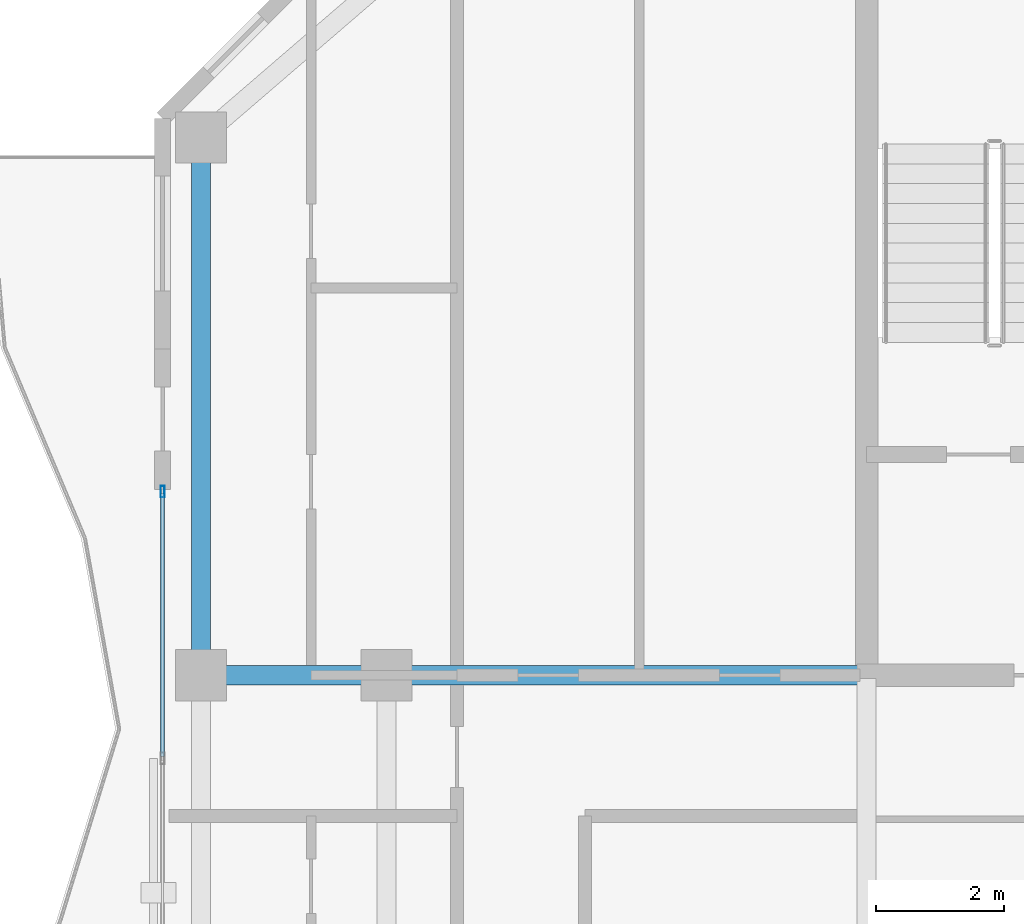
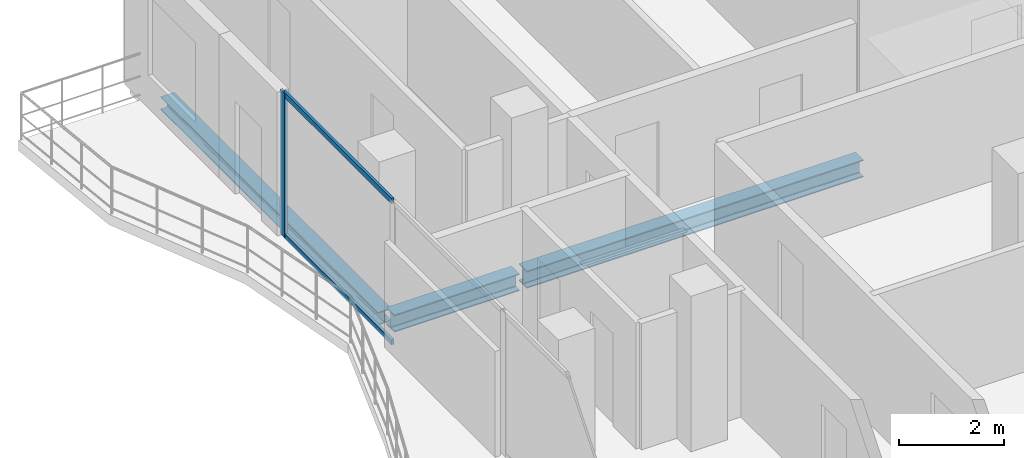
# One storey, part 9 of 23: 3 beams, 3 members, 1 element without a shape of its own.
"""IFC4 building model written with IfcOpenShell, lengths in metres."""

import ifcopenshell
import ifcopenshell.guid

model = None  # the IFC model being written
_history = None  # IfcOwnerHistory: only IFC2X3 demands one
_inside = {}  # id of a spatial element -> (the spatial element, [elements in it])
_under = {}  # id of a project, library or spatial element -> (it, [spatial elements below it])
_declared = {}  # id of a project -> (the project, [libraries it declares])
_typed = {}  # id of a type object -> (the type object, [elements of that type])
_made_of = {}  # id of a material, layer set ... -> (it, [elements and type objects made of it])


def new_model(schema):
    """Start an empty IFC model of exactly this schema.

    Asked for "IFC4X3", IfcOpenShell would pick the latest addendum, in which some entities
    have other attributes; the version numbers below select the first issue.
    IFC2X3 requires an IfcOwnerHistory on every rooted entity: one is made here for all.
    """
    global model, _history
    if schema == "IFC4X3":
        model = ifcopenshell.file(schema_version=(4, 3, 0, 0))
    else:
        model = ifcopenshell.file(schema=schema)
    _inside.clear()
    _under.clear()
    _declared.clear()
    _typed.clear()
    _made_of.clear()
    _history = None
    if model.schema == "IFC2X3":
        org = make("IfcOrganization", Name="unknown")
        user = make(
            "IfcPersonAndOrganization",
            ThePerson=make("IfcPerson", FamilyName="unknown"),
            TheOrganization=org,
        )
        app = make(
            "IfcApplication",
            ApplicationDeveloper=org,
            Version="unknown",
            ApplicationFullName="unknown",
            ApplicationIdentifier="unknown",
        )
        _history = make(
            "IfcOwnerHistory",
            OwningUser=user,
            OwningApplication=app,
            ChangeAction="ADDED",
            CreationDate=0,
        )
    return model


def make(cls, **values):
    """One entity of the class cls with the attributes given. An attribute that is None is left unset."""
    return model.create_entity(
        cls, **{name: value for name, value in values.items() if value is not None}
    )


def rooted(cls, **values):
    """An entity with a GlobalId (a new one), such as an element, a storey or a relation."""
    return make(cls, GlobalId=ifcopenshell.guid.new(), OwnerHistory=_history, **values)


def si_unit(unit_type, name, prefix=None):
    """IfcSIUnit, for example si_unit("LENGTHUNIT", "METRE", prefix="MILLI")."""
    return make("IfcSIUnit", UnitType=unit_type, Prefix=prefix, Name=name)


def assignment(units):
    """IfcUnitAssignment: the units of a project."""
    return None if units is None else make("IfcUnitAssignment", Units=units)


def point(xyz):
    """IfcCartesianPoint."""
    return None if xyz is None else make("IfcCartesianPoint", Coordinates=xyz)


def direction(xyz):
    """IfcDirection."""
    return None if xyz is None else make("IfcDirection", DirectionRatios=xyz)


def frame(location, z_axis=None, x_axis=None):
    """IfcAxis2Placement3D, a coordinate frame: its origin and axes. An axis left out is left unset."""
    return make(
        "IfcAxis2Placement3D",
        Location=point(location),
        Axis=direction(z_axis),
        RefDirection=direction(x_axis),
    )


def frame_2d(location, x_axis=None):
    """IfcAxis2Placement2D, a coordinate frame in the plane: its origin and x axis."""
    return make(
        "IfcAxis2Placement2D", Location=point(location), RefDirection=direction(x_axis)
    )


def origin():
    """The frame at (0, 0, 0) with its axes left unset."""
    return frame((0.0, 0.0, 0.0))


def origin_2d():
    """The frame at (0, 0) in the plane with its x axis left unset."""
    return frame_2d((0.0, 0.0))


def place(relative_to, where):
    """IfcLocalPlacement: puts the frame where relative to a parent placement (None: the world)."""
    return make(
        "IfcLocalPlacement", PlacementRelTo=relative_to, RelativePlacement=where
    )


def context(
    kind, dimensions, precision=None, world=None, true_north=None, identifier=None
):
    """IfcGeometricRepresentationContext, for example the 3D "Model" context."""
    return make(
        "IfcGeometricRepresentationContext",
        ContextIdentifier=identifier,
        ContextType=kind,
        CoordinateSpaceDimension=dimensions,
        Precision=precision,
        WorldCoordinateSystem=world,
        TrueNorth=true_north,
    )


def subcontext(parent, identifier, kind, view, scale=None):
    """IfcGeometricRepresentationSubContext, for example "Body" below "Model"."""
    return make(
        "IfcGeometricRepresentationSubContext",
        ContextIdentifier=identifier,
        ContextType=kind,
        ParentContext=parent,
        TargetScale=scale,
        TargetView=view,
    )


def project(units=None, contexts=None):
    """IfcProject with its units and contexts."""
    return rooted(
        "IfcProject",
        Name="project",
        RepresentationContexts=contexts,
        UnitsInContext=assignment(units),
    )


def spatial(cls, under=None, at=None, **own):
    """A site, building, storey or space (cls), placed at a placement, below another one or the project."""
    s = rooted(cls, ObjectPlacement=at, **own)
    if under is not None:
        _under.setdefault(under.id(), (under, []))[1].append(s)
    return s


def profile(cls, at=None, kind="AREA", **sizes):
    """A parametric profile (cls). Its sizes go by their IFC names, for example OverallWidth=200.0."""
    return make(cls, ProfileType=kind, Position=at, **sizes)


def hollow_rectangle(**sizes):
    """IfcRectangleHollowProfileDef."""
    return profile("IfcRectangleHollowProfileDef", **sizes)


def i_section(**sizes):
    """IfcIShapeProfileDef."""
    return profile("IfcIShapeProfileDef", **sizes)


def extrude(swept, where, along, depth):
    """IfcExtrudedAreaSolid: the profile swept, set in the frame where, extruded along a direction by depth."""
    return make(
        "IfcExtrudedAreaSolid",
        SweptArea=swept,
        Position=where,
        ExtrudedDirection=direction(along),
        Depth=depth,
    )


def shape(context_of_items, identifier, shape_type, items):
    """IfcShapeRepresentation: the items that make up one representation, for example the "Body"."""
    return make(
        "IfcShapeRepresentation",
        ContextOfItems=context_of_items,
        RepresentationIdentifier=identifier,
        RepresentationType=shape_type,
        Items=items,
    )


def material(Name=None, Category=None):
    """IfcMaterial."""
    return make("IfcMaterial", Name=Name, Category=Category)


def layer(
    of_material, thickness, ventilated=None, Name=None, Category=None, Priority=None
):
    """IfcMaterialLayer: one layer of a wall or slab, of a material (None: an air gap)."""
    return make(
        "IfcMaterialLayer",
        Material=of_material,
        LayerThickness=thickness,
        IsVentilated=ventilated,
        Name=Name,
        Category=Category,
        Priority=Priority,
    )


def layer_set(layers, Name=None):
    """IfcMaterialLayerSet."""
    return make("IfcMaterialLayerSet", MaterialLayers=layers, LayerSetName=Name)


def material_profile(
    of_material, cross_section, Name=None, Category=None, Priority=None
):
    """IfcMaterialProfile: a cross section and its material."""
    return make(
        "IfcMaterialProfile",
        Name=Name,
        Material=of_material,
        Profile=cross_section,
        Priority=Priority,
        Category=Category,
    )


def profile_set(profiles, Name=None, composite=None):
    """IfcMaterialProfileSet."""
    return make(
        "IfcMaterialProfileSet",
        Name=Name,
        MaterialProfiles=profiles,
        CompositeProfile=composite,
    )


def made_of(thing, what):
    """Note that an element or type object is made of a material, layer set ...; save() writes the relation."""
    if what is not None:
        _made_of.setdefault(what.id(), (what, []))[1].append(thing)
    return thing


def type_object(cls, material=None, **own):
    """A type object (cls), such as IfcWallType, which elements share."""
    return made_of(rooted(cls, **own), material)


def element(
    cls,
    number,
    at=None,
    inside=None,
    cuts=None,
    type_object=None,
    material=None,
    context=None,
    identifier="Body",
    shape_type=None,
    held_by="IfcProductDefinitionShape",
    body=None,
    shapes=None,
    **own,
):
    """One element of the class cls, such as IfcWall. Its Tag is "e" and its number.

    at: its placement. inside: the storey or other place that contains it. cuts: it is an
    opening in that element (IfcRelVoidsElement). A single representation is given by context,
    identifier, shape_type and body (its items); several are given by shapes. held_by: the class
    of the entity that holds the representations. save() writes the other relations.
    """
    e = rooted(cls, Tag="e%d" % number, ObjectPlacement=at, **own)
    if body is not None:
        shapes = [shape(context, identifier, shape_type, body)]
    if shapes is not None:
        e.Representation = make(held_by, Representations=shapes)
    if inside is not None:
        _inside.setdefault(inside.id(), (inside, []))[1].append(e)
    if cuts is not None:
        rooted(
            "IfcRelVoidsElement", RelatingBuildingElement=cuts, RelatedOpeningElement=e
        )
    if type_object is not None:
        _typed.setdefault(type_object.id(), (type_object, []))[1].append(e)
    return made_of(e, material)


def aggregate(whole, parts):
    """IfcRelAggregates: a whole, such as a stair, and the parts it consists of."""
    return rooted("IfcRelAggregates", RelatingObject=whole, RelatedObjects=parts)


def save(model, path):
    """Write the relations noted so far, then the file.

    IfcRelAggregates (storeys below a building ...), IfcRelContainedInSpatialStructure (elements
    in a storey), IfcRelDefinesByType, IfcRelAssociatesMaterial and IfcRelDeclares: one each for
    every whole, place, type object, material and project.
    """
    for whole, parts in _under.values():
        aggregate(whole, parts)
    for where, things in _inside.values():
        rooted(
            "IfcRelContainedInSpatialStructure",
            RelatedElements=things,
            RelatingStructure=where,
        )
    for kind, things in _typed.values():
        rooted("IfcRelDefinesByType", RelatedObjects=things, RelatingType=kind)
    for what, things in _made_of.values():
        rooted("IfcRelAssociatesMaterial", RelatedObjects=things, RelatingMaterial=what)
    for by, libraries in _declared.values():
        rooted("IfcRelDeclares", RelatingContext=by, RelatedDefinitions=libraries)
    model.write(path)


model = new_model("IFC4")

# Units and contexts
model_context = context("Model", 3, precision=1e-05, world=origin(), true_north=direction((0.0, 1.0)))
body_context = subcontext(model_context, "Body", "Model", "MODEL_VIEW")
ifc_project = project(units=[si_unit("LENGTHUNIT", "METRE"), si_unit("AREAUNIT", "SQUARE_METRE"), si_unit("VOLUMEUNIT", "CUBIC_METRE"), si_unit("PLANEANGLEUNIT", "RADIAN"), si_unit("MASSUNIT", "GRAM", prefix="KILO")], contexts=[model_context])

# Site, building, storey
site_placement = place(None, origin())
site = spatial("IfcSite", under=ifc_project, at=site_placement, CompositionType="ELEMENT")
building_placement = place(site_placement, origin())
building = spatial("IfcBuilding", under=site, at=building_placement, Name="Catumbela Crestline Tower", CompositionType="ELEMENT")
storey_placement = place(building_placement, frame((0.0, 0.0, 186.6)))
storey = spatial("IfcBuildingStorey", under=building, at=storey_placement, Name="L48", CompositionType="ELEMENT", Elevation=186.6)

# Beams
ifc_material_1 = material(Name="Structural steel S355J2", Category="steel")
ifc_material_profile_1 = material_profile(ifc_material_1, i_section(OverallWidth=0.3, OverallDepth=0.4, WebThickness=0.0135, FlangeThickness=0.024, FilletRadius=0.027, at=origin_2d()), Name="HEB 400")
ifc_profile_set_1 = profile_set([ifc_material_profile_1], Name="Structural steel S355J2")
beam_type_1 = type_object("IfcBeamType", Name="BG-HEB400", PredefinedType="BEAM", material=ifc_profile_set_1)
beam_1_placement = place(storey_placement, frame((5.68, 30.8, -0.46), z_axis=(1.0, 0.0, 0.0), x_axis=(0.0, 1.0, 0.0)))
element("IfcBeam", 1, at=beam_1_placement, inside=storey, type_object=beam_type_1, Name="L48 Beam BM-L48-M06", PredefinedType="BEAM", context=body_context, shape_type="SweptSolid", body=[
    extrude(i_section(OverallWidth=0.3, OverallDepth=0.4, WebThickness=0.0135, FlangeThickness=0.024, FilletRadius=0.027, at=origin_2d()), origin(), (0.0, 0.0, 1.0), 2.74),
])
beam_2_placement = place(storey_placement, frame((8.58, 30.8, -0.46), z_axis=(1.0, 0.0, 0.0), x_axis=(0.0, 1.0, 0.0)))
element("IfcBeam", 2, at=beam_2_placement, inside=storey, type_object=beam_type_1, Name="L48 Beam BM-L48-M07", PredefinedType="BEAM", context=body_context, shape_type="SweptSolid", body=[
    extrude(i_section(OverallWidth=0.3, OverallDepth=0.4, WebThickness=0.0135, FlangeThickness=0.024, FilletRadius=0.027, at=origin_2d()), origin(), (0.0, 0.0, 1.0), 7.37),
])

# Curtain wall, member
ifc_material_2 = material(Name="Aluminium alloy AW-6060-T66", Category="aluminium")
ifc_layer = layer(ifc_material_2, 0.18, Name="Aluminium alloy AW-6060-T66")
ifc_layer_set = layer_set([ifc_layer], Name="Aluminium alloy AW-6060-T66")
curtain_wall_type = type_object("IfcCurtainWallType", Name="CWU-Z3", PredefinedType="USERDEFINED", material=ifc_layer_set)
curtain_wall_placement = place(storey_placement, origin())
curtain_wall = element("IfcCurtainWall", 3, at=curtain_wall_placement, inside=storey, type_object=curtain_wall_type, Name="L48 Unitised Curtain Wall CW-L48-E9S2", ObjectType="UNITISED", PredefinedType="USERDEFINED")
ifc_material_profile_2 = material_profile(ifc_material_2, hollow_rectangle(XDim=0.065, YDim=0.18, WallThickness=0.004, at=origin_2d()), Name="ALU 180x65x4")
ifc_profile_set_2 = profile_set([ifc_material_profile_2], Name="Aluminium alloy AW-6060-T66")
member_type_1 = type_object("IfcMemberType", Name="MUL-180X65", PredefinedType="MULLION", material=ifc_profile_set_2)
member_1_placement = place(storey_placement, frame((5.0, 33.6675, 0.0), z_axis=(0.0, 0.0, 1.0), x_axis=(1.0, 0.0, 0.0)))
member_1 = element("IfcMember", 4, at=member_1_placement, type_object=member_type_1, Name="CWU-Z3 mullion 1", PredefinedType="MULLION", context=body_context, shape_type="SweptSolid", body=[
    extrude(hollow_rectangle(XDim=0.065, YDim=0.18, WallThickness=0.004, at=origin_2d()), origin(), (0.0, 0.0, 1.0), 3.33),
])

# Beam
ifc_material_profile_3 = material_profile(ifc_material_1, i_section(OverallWidth=0.3, OverallDepth=0.3, WebThickness=0.011, FlangeThickness=0.019, FilletRadius=0.027, at=origin_2d()), Name="HEB 300")
ifc_profile_set_3 = profile_set([ifc_material_profile_3], Name="Structural steel S355J2")
beam_type_2 = type_object("IfcBeamType", Name="BS-HEB300", PredefinedType="SPANDREL", material=ifc_profile_set_3)
beam_3_placement = place(storey_placement, frame((5.6, 30.88, -0.41), z_axis=(0.0, 1.0, 0.0), x_axis=(-1.0, 0.0, 0.0)))
element("IfcBeam", 5, at=beam_3_placement, inside=storey, type_object=beam_type_2, Name="L48 Spandrel SP-L48-SN15", PredefinedType="SPANDREL", context=body_context, shape_type="SweptSolid", body=[
    extrude(i_section(OverallWidth=0.3, OverallDepth=0.3, WebThickness=0.011, FlangeThickness=0.019, FilletRadius=0.027, at=origin_2d()), origin(), (0.0, 0.0, 1.0), 8.24),
])

# Member
ifc_material_profile_4 = material_profile(ifc_material_2, hollow_rectangle(XDim=0.06, YDim=0.12, WallThickness=0.0035, at=origin_2d()), Name="ALU 120x60x3.5")
ifc_profile_set_4 = profile_set([ifc_material_profile_4], Name="Aluminium alloy AW-6060-T66")
member_type_2 = type_object("IfcMemberType", Name="TRN-120X60", PredefinedType="USERDEFINED", material=ifc_profile_set_4)
member_2_placement = place(storey_placement, frame((5.0, 33.635, 0.03), z_axis=(0.0, -1.0, 0.0), x_axis=(1.0, 0.0, 0.0)))
member_2 = element("IfcMember", 6, at=member_2_placement, type_object=member_type_2, Name="CWU-Z3 transom 1.1", ObjectType="TRANSOM", PredefinedType="USERDEFINED", context=body_context, shape_type="SweptSolid", body=[
    extrude(hollow_rectangle(XDim=0.06, YDim=0.12, WallThickness=0.0035, at=origin_2d()), origin(), (0.0, 0.0, 1.0), 4.1025),
])

member_3_placement = place(storey_placement, frame((5.0, 33.635, 3.3), z_axis=(0.0, -1.0, 0.0), x_axis=(1.0, 0.0, 0.0)))
member_3 = element("IfcMember", 7, at=member_3_placement, type_object=member_type_2, Name="CWU-Z3 transom 1.2", ObjectType="TRANSOM", PredefinedType="USERDEFINED", context=body_context, shape_type="SweptSolid", body=[
    extrude(hollow_rectangle(XDim=0.06, YDim=0.12, WallThickness=0.0035, at=origin_2d()), origin(), (0.0, 0.0, 1.0), 4.1025),
])

aggregate(curtain_wall, [member_1, member_2, member_3])

save(model, "model.ifc")
